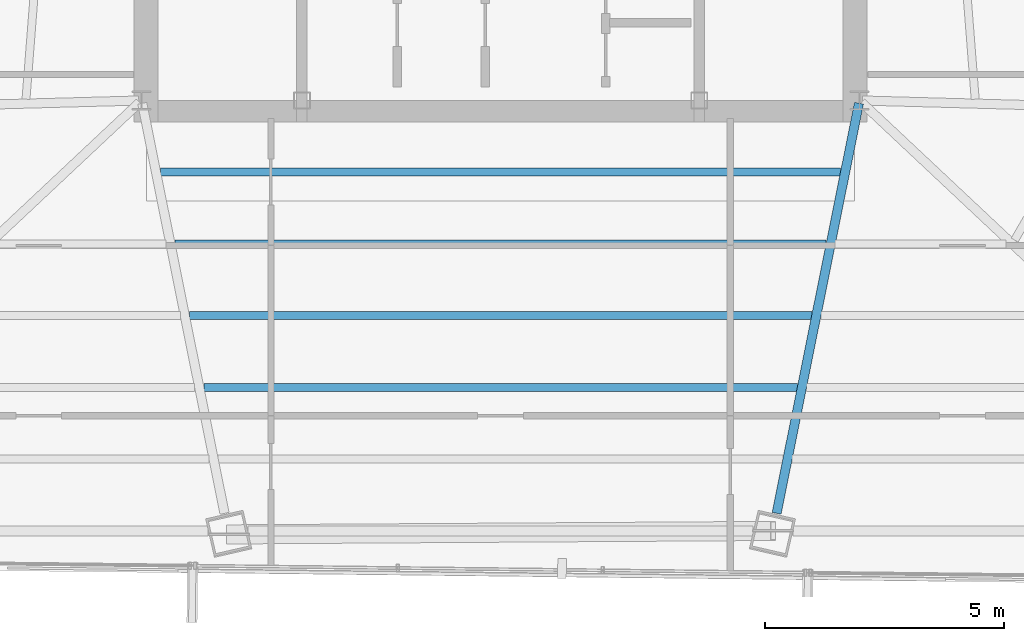
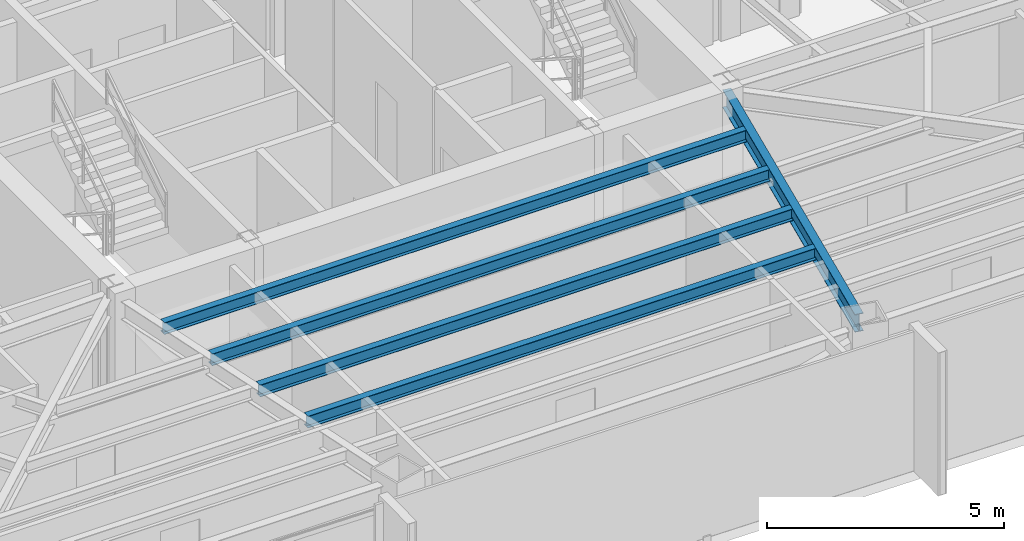
# One storey, part 11 of 42: 5 beams.
"""IFC4 building model written with IfcOpenShell, lengths in metres."""

from ifc_helpers import new_model, si_unit, direction, frame, origin, origin_2d, place, context, subcontext, project, spatial, i_section, extrude, source, transform, mapped, material, material_profile, profile_set, type_object, type_shapes, element, save


model = new_model("IFC4")

# Units and contexts
model_context = context("Model", 3, precision=1e-05, world=origin(), true_north=direction((0.0, 1.0)))
body_context = subcontext(model_context, "Body", "Model", "MODEL_VIEW")
ifc_project = project(units=[si_unit("LENGTHUNIT", "METRE"), si_unit("AREAUNIT", "SQUARE_METRE"), si_unit("VOLUMEUNIT", "CUBIC_METRE"), si_unit("PLANEANGLEUNIT", "RADIAN"), si_unit("MASSUNIT", "GRAM", prefix="KILO")], contexts=[model_context])

# Site, building, storey
site_placement = place(None, origin())
site = spatial("IfcSite", under=ifc_project, at=site_placement, CompositionType="ELEMENT")
building_placement = place(site_placement, origin())
building = spatial("IfcBuilding", under=site, at=building_placement, Name="Caelisora Broadcast Tower", CompositionType="ELEMENT")
storey_placement = place(building_placement, frame((0.0, 0.0, 205.949951171875)))
storey = spatial("IfcBuildingStorey", under=building, at=storey_placement, Name="L54", CompositionType="ELEMENT", Elevation=205.949951171875)

# Beams
ifc_material = material(Name="Steel Grade 350 (AS/NZS 3679.1)", Category="steel")
ifc_material_profile_1 = material_profile(ifc_material, i_section(OverallWidth=0.19091796875, OverallDepth=0.46044921875, WebThickness=0.010009765625, FlangeThickness=0.01611328125, at=origin_2d()), Name="Steel Grade 350 (AS/NZS 3679.1)")
ifc_profile_set_1 = profile_set([ifc_material_profile_1], Name="Steel Grade 350 (AS/NZS 3679.1)")
beam_type_1 = type_object("IfcBeamType", Name="PG06", PredefinedType="BEAM", material=ifc_profile_set_1)
shared_shape_1 = source(origin(), body_context, "Body", "SweptSolid", [
    extrude(i_section(OverallWidth=0.19091796875, OverallDepth=0.46044921875, WebThickness=0.010009765625, FlangeThickness=0.01611328125, at=origin_2d()), origin(), (0.0, 0.0, 1.0), 8.73876953125),
])
type_shapes(beam_type_1, [shared_shape_1])
beam_1_placement = place(storey_placement, frame((45.48828125, 17.34130859375, 3.169921875), z_axis=(-0.196793039957, -0.980445051711, 0.0), x_axis=(0.980445051711, -0.196793039957, 0.0)))
element("IfcBeam", 1, at=beam_1_placement, inside=storey, type_object=beam_type_1, Name="L54 beam PG06", PredefinedType="BEAM", context=body_context, shape_type="MappedRepresentation", body=[
    mapped(shared_shape_1, transform((0.0, 0.0, 0.0), scale=1.0)),
])
ifc_material_profile_2 = material_profile(ifc_material, i_section(OverallWidth=0.166015625, OverallDepth=0.30712890625, WebThickness=0.006591796875, FlangeThickness=0.01171875, at=origin_2d()), Name="Steel Grade 350 (AS/NZS 3679.1)")
ifc_profile_set_2 = profile_set([ifc_material_profile_2], Name="Steel Grade 350 (AS/NZS 3679.1)")
beam_type_2 = type_object("IfcBeamType", Name="SB03", PredefinedType="JOIST", material=ifc_profile_set_2)
shared_shape_2 = source(origin(), body_context, "Body", "SweptSolid", [
    extrude(i_section(OverallWidth=0.166015625, OverallDepth=0.30712890625, WebThickness=0.006591796875, FlangeThickness=0.01171875, at=origin_2d()), origin(), (0.0, 0.0, 1.0), 14.20947265625),
])
beam_2_placement = place(storey_placement, frame((30.895263671875, 15.90087890625, 3.246337890625), z_axis=(1.0, 0.0, 0.0), x_axis=(0.0, 1.0, 0.0)))
element("IfcBeam", 2, at=beam_2_placement, inside=storey, type_object=beam_type_2, Name="L54 beam SB03", PredefinedType="JOIST", context=body_context, shape_type="MappedRepresentation", body=[
    mapped(shared_shape_2, transform((0.0, 0.0, 0.0), scale=1.0)),
])
shared_shape_3 = source(origin(), body_context, "Body", "SweptSolid", [
    extrude(i_section(OverallWidth=0.166015625, OverallDepth=0.30712890625, WebThickness=0.006591796875, FlangeThickness=0.01171875, at=origin_2d()), origin(), (0.0, 0.0, 1.0), 13.607421875),
])
beam_3_placement = place(storey_placement, frame((31.1962890625, 14.401611328125, 3.246337890625), z_axis=(1.0, 0.0, 0.0), x_axis=(0.0, 1.0, 0.0)))
element("IfcBeam", 3, at=beam_3_placement, inside=storey, type_object=beam_type_2, Name="L54 beam SB03", PredefinedType="JOIST", context=body_context, shape_type="MappedRepresentation", body=[
    mapped(shared_shape_3, transform((0.0, 0.0, 0.0), scale=1.0)),
])
shared_shape_4 = source(origin(), body_context, "Body", "SweptSolid", [
    extrude(i_section(OverallWidth=0.166015625, OverallDepth=0.30712890625, WebThickness=0.006591796875, FlangeThickness=0.01171875, at=origin_2d()), origin(), (0.0, 0.0, 1.0), 13.005615234375),
])
beam_4_placement = place(storey_placement, frame((31.497314453125, 12.90234375, 3.246337890625), z_axis=(1.0, 0.0, 0.0), x_axis=(0.0, 1.0, 0.0)))
element("IfcBeam", 4, at=beam_4_placement, inside=storey, type_object=beam_type_2, Name="L54 beam SB03", PredefinedType="JOIST", context=body_context, shape_type="MappedRepresentation", body=[
    mapped(shared_shape_4, transform((0.0, 0.0, 0.0), scale=1.0)),
])
shared_shape_5 = source(origin(), body_context, "Body", "SweptSolid", [
    extrude(i_section(OverallWidth=0.166015625, OverallDepth=0.30712890625, WebThickness=0.006591796875, FlangeThickness=0.01171875, at=origin_2d()), origin(), (0.0, 0.0, 1.0), 12.40380859375),
])
type_shapes(beam_type_2, [shared_shape_2, shared_shape_3, shared_shape_4, shared_shape_5])
beam_5_placement = place(storey_placement, frame((31.798095703125, 11.4033203125, 3.246337890625), z_axis=(1.0, 0.0, 0.0), x_axis=(0.0, 1.0, 0.0)))
element("IfcBeam", 5, at=beam_5_placement, inside=storey, type_object=beam_type_2, Name="L54 beam SB03", PredefinedType="JOIST", context=body_context, shape_type="MappedRepresentation", body=[
    mapped(shared_shape_5, transform((0.0, 0.0, 0.0), scale=1.0)),
])

save(model, "model.ifc")
